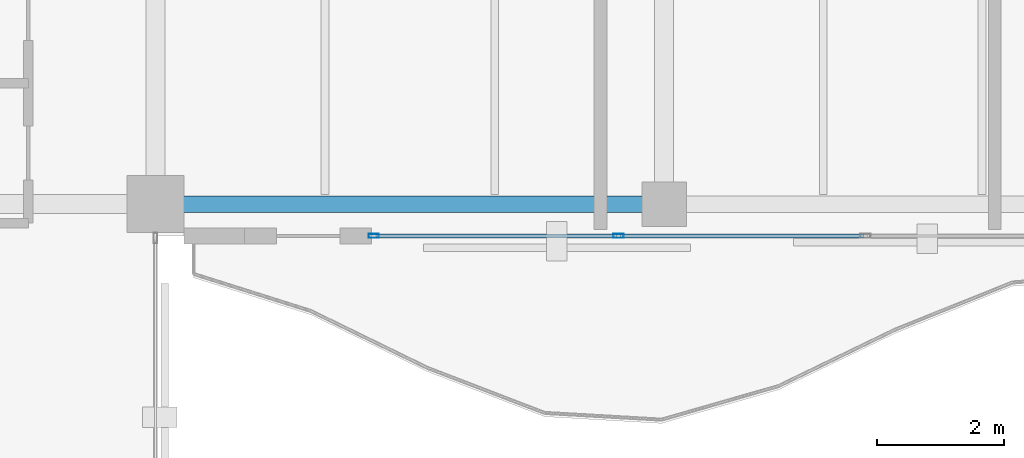
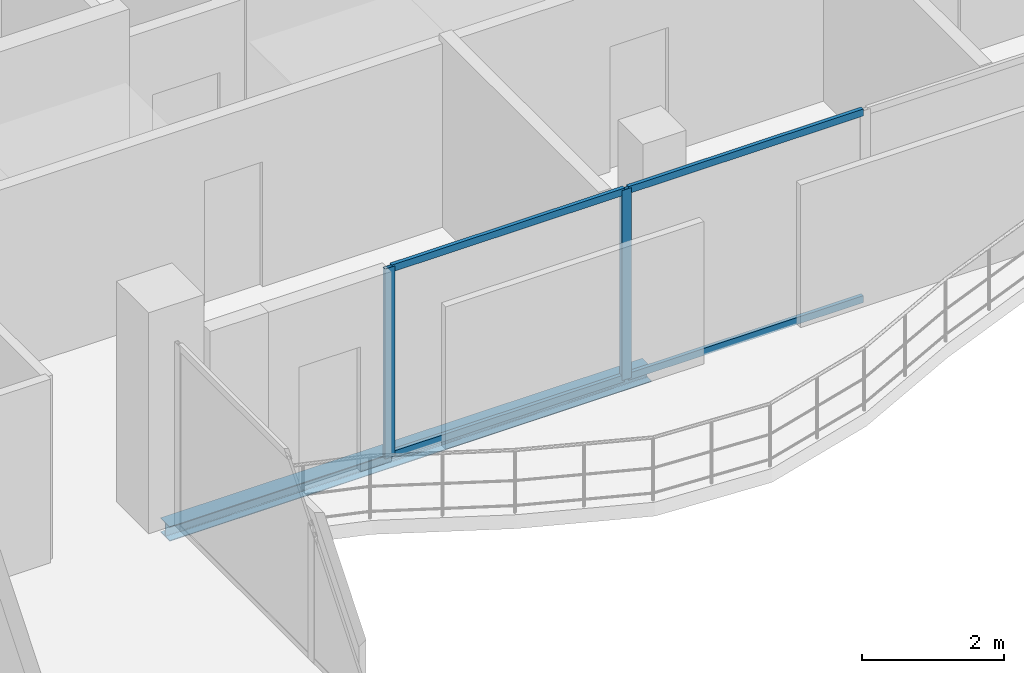
# One storey, part 5 of 17: 6 members, 1 beam, 1 element without a shape of its own.
"""IFC4 building model written with IfcOpenShell, lengths in metres."""

from ifc_helpers import new_model, si_unit, direction, frame, origin, origin_2d, place, context, subcontext, project, spatial, hollow_rectangle, i_section, extrude, material, layer, layer_set, material_profile, profile_set, type_object, element, aggregate, save


model = new_model("IFC4")

# Units and contexts
model_context = context("Model", 3, precision=1e-05, world=origin(), true_north=direction((0.0, 1.0)))
body_context = subcontext(model_context, "Body", "Model", "MODEL_VIEW")
ifc_project = project(units=[si_unit("LENGTHUNIT", "METRE"), si_unit("AREAUNIT", "SQUARE_METRE"), si_unit("VOLUMEUNIT", "CUBIC_METRE"), si_unit("PLANEANGLEUNIT", "RADIAN"), si_unit("MASSUNIT", "GRAM", prefix="KILO")], contexts=[model_context])

# Site, building, storey
site_placement = place(None, origin())
site = spatial("IfcSite", under=ifc_project, at=site_placement, CompositionType="ELEMENT")
building_placement = place(site_placement, origin())
building = spatial("IfcBuilding", under=site, at=building_placement, Name="Catumbela Crestline Tower", CompositionType="ELEMENT")
storey_placement = place(building_placement, frame((0.0, 0.0, 267.8)))
storey = spatial("IfcBuildingStorey", under=building, at=storey_placement, Name="L69", CompositionType="ELEMENT", Elevation=267.8)

# Curtain wall, members
ifc_material_1 = material(Name="Aluminium alloy AW-6060-T66", Category="aluminium")
ifc_layer = layer(ifc_material_1, 0.18, Name="Aluminium alloy AW-6060-T66")
ifc_layer_set = layer_set([ifc_layer], Name="Aluminium alloy AW-6060-T66")
curtain_wall_type = type_object("IfcCurtainWallType", Name="CWU-Z4", PredefinedType="USERDEFINED", material=ifc_layer_set)
curtain_wall_placement = place(storey_placement, origin())
curtain_wall = element("IfcCurtainWall", 1, at=curtain_wall_placement, inside=storey, type_object=curtain_wall_type, Name="L69 Unitised Curtain Wall CW-L69-E3S2", ObjectType="UNITISED", PredefinedType="USERDEFINED")
ifc_material_profile_1 = material_profile(ifc_material_1, hollow_rectangle(XDim=0.06, YDim=0.16, WallThickness=0.004, at=origin_2d()), Name="ALU 160x60x4")
ifc_profile_set_1 = profile_set([ifc_material_profile_1], Name="Aluminium alloy AW-6060-T66")
member_type_1 = type_object("IfcMemberType", Name="MUL-160X60", PredefinedType="MULLION", material=ifc_profile_set_1)
member_1_placement = place(storey_placement, frame((27.4325, 24.0, 0.0), z_axis=(0.0, 0.0, 1.0), x_axis=(0.0, 1.0, 0.0)))
member_1 = element("IfcMember", 2, at=member_1_placement, type_object=member_type_1, Name="CWU-Z4 mullion 1", PredefinedType="MULLION", context=body_context, shape_type="SweptSolid", body=[
    extrude(hollow_rectangle(XDim=0.06, YDim=0.16, WallThickness=0.004, at=origin_2d()), origin(), (0.0, 0.0, 1.0), 3.27),
])
member_2_placement = place(storey_placement, frame((31.2833, 24.0, 0.0), z_axis=(0.0, 0.0, 1.0), x_axis=(0.0, 1.0, 0.0)))
member_2 = element("IfcMember", 3, at=member_2_placement, type_object=member_type_1, Name="CWU-Z4 mullion 2", PredefinedType="MULLION", context=body_context, shape_type="SweptSolid", body=[
    extrude(hollow_rectangle(XDim=0.06, YDim=0.16, WallThickness=0.004, at=origin_2d()), origin(), (0.0, 0.0, 1.0), 3.27),
])

# Beam
ifc_material_2 = material(Name="Structural steel S355J2", Category="steel")
ifc_material_profile_2 = material_profile(ifc_material_2, i_section(OverallWidth=0.26, OverallDepth=0.25, WebThickness=0.0075, FlangeThickness=0.0125, FilletRadius=0.024, at=origin_2d()), Name="HEA 260")
ifc_profile_set_2 = profile_set([ifc_material_profile_2], Name="Structural steel S355J2")
beam_type = type_object("IfcBeamType", Name="BS-HEA260", PredefinedType="SPANDREL", material=ifc_profile_set_2)
beam_placement = place(storey_placement, frame((24.08, 24.5, -0.385), z_axis=(1.0, 0.0, 0.0), x_axis=(0.0, 1.0, 0.0)))
element("IfcBeam", 4, at=beam_placement, inside=storey, type_object=beam_type, Name="L69 Spandrel SP-L69-S02", PredefinedType="SPANDREL", context=body_context, shape_type="SweptSolid", body=[
    extrude(i_section(OverallWidth=0.26, OverallDepth=0.25, WebThickness=0.0075, FlangeThickness=0.0125, FilletRadius=0.024, at=origin_2d()), origin(), (0.0, 0.0, 1.0), 7.84),
])

# Member
ifc_material_profile_3 = material_profile(ifc_material_1, hollow_rectangle(XDim=0.06, YDim=0.12, WallThickness=0.0035, at=origin_2d()), Name="ALU 120x60x3.5")
ifc_profile_set_3 = profile_set([ifc_material_profile_3], Name="Aluminium alloy AW-6060-T66")
member_type_2 = type_object("IfcMemberType", Name="TRN-120X60", PredefinedType="USERDEFINED", material=ifc_profile_set_3)
member_3_placement = place(storey_placement, frame((27.465, 24.0, 0.03), z_axis=(1.0, 0.0, 0.0), x_axis=(0.0, 1.0, 0.0)))
member_3 = element("IfcMember", 5, at=member_3_placement, type_object=member_type_2, Name="CWU-Z4 transom 1.1", ObjectType="TRANSOM", PredefinedType="USERDEFINED", context=body_context, shape_type="SweptSolid", body=[
    extrude(hollow_rectangle(XDim=0.06, YDim=0.12, WallThickness=0.0035, at=origin_2d()), origin(), (0.0, 0.0, 1.0), 3.7858),
])

member_4_placement = place(storey_placement, frame((27.465, 24.0, 3.24), z_axis=(1.0, 0.0, 0.0), x_axis=(0.0, 1.0, 0.0)))
member_4 = element("IfcMember", 6, at=member_4_placement, type_object=member_type_2, Name="CWU-Z4 transom 1.2", ObjectType="TRANSOM", PredefinedType="USERDEFINED", context=body_context, shape_type="SweptSolid", body=[
    extrude(hollow_rectangle(XDim=0.06, YDim=0.12, WallThickness=0.0035, at=origin_2d()), origin(), (0.0, 0.0, 1.0), 3.7858),
])

member_5_placement = place(storey_placement, frame((31.3158, 24.0, 0.03), z_axis=(1.0, 0.0, 0.0), x_axis=(0.0, 1.0, 0.0)))
member_5 = element("IfcMember", 7, at=member_5_placement, type_object=member_type_2, Name="CWU-Z4 transom 2.1", ObjectType="TRANSOM", PredefinedType="USERDEFINED", context=body_context, shape_type="SweptSolid", body=[
    extrude(hollow_rectangle(XDim=0.06, YDim=0.12, WallThickness=0.0035, at=origin_2d()), origin(), (0.0, 0.0, 1.0), 3.8184),
])

member_6_placement = place(storey_placement, frame((31.3158, 24.0, 3.24), z_axis=(1.0, 0.0, 0.0), x_axis=(0.0, 1.0, 0.0)))
member_6 = element("IfcMember", 8, at=member_6_placement, type_object=member_type_2, Name="CWU-Z4 transom 2.2", ObjectType="TRANSOM", PredefinedType="USERDEFINED", context=body_context, shape_type="SweptSolid", body=[
    extrude(hollow_rectangle(XDim=0.06, YDim=0.12, WallThickness=0.0035, at=origin_2d()), origin(), (0.0, 0.0, 1.0), 3.8184),
])

aggregate(curtain_wall, [member_1, member_2, member_3, member_4, member_5, member_6])

save(model, "model.ifc")
